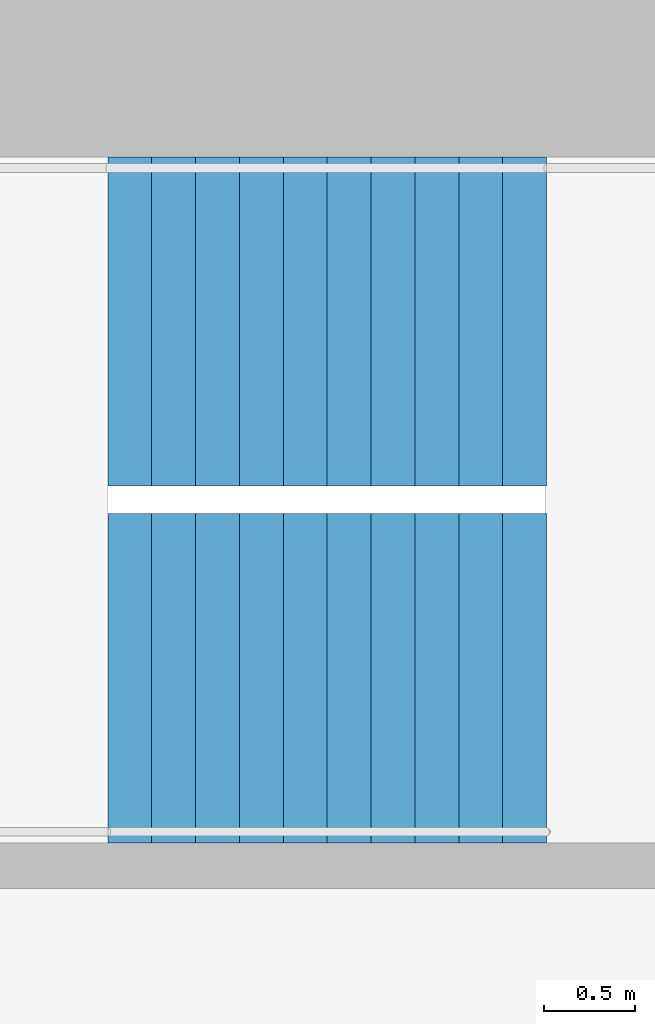
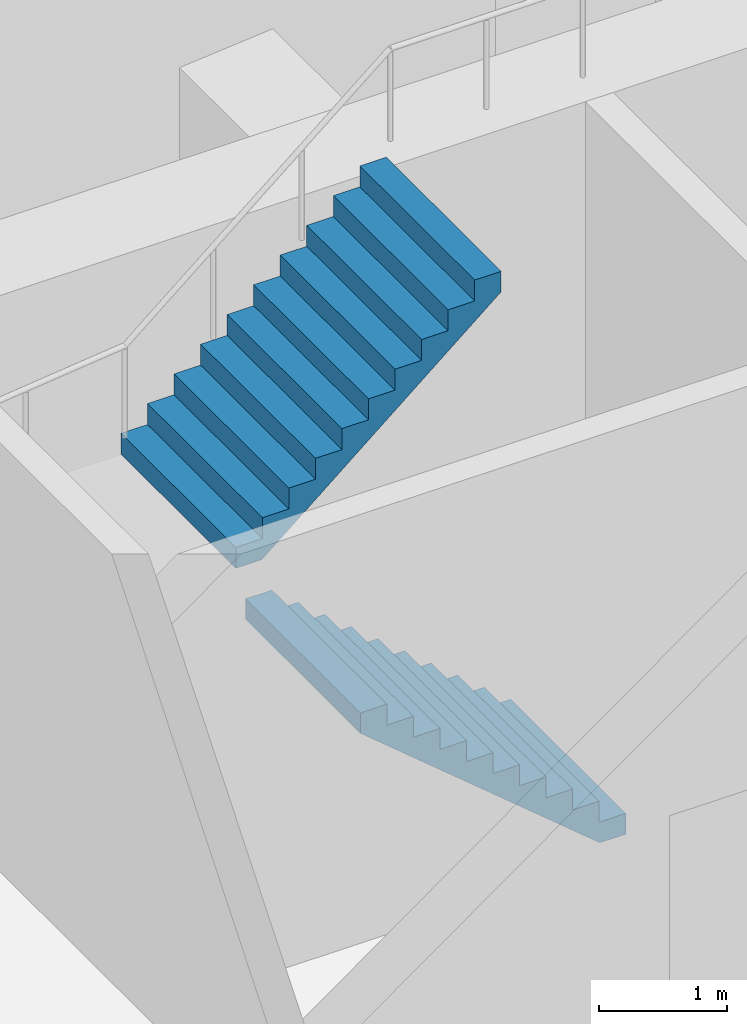
# One storey, part 31 of 33: 2 stair flights, 1 element without a shape of its own.
"""IFC4 building model written with IfcOpenShell, lengths in metres."""

from ifc_helpers import new_model, si_unit, direction, frame, origin, place, context, subcontext, project, spatial, triangles, material, type_object, element, aggregate, save


model = new_model("IFC4")

# Units and contexts
model_context = context("Model", 3, precision=1e-05, world=origin(), true_north=direction((0.0, 1.0)))
body_context = subcontext(model_context, "Body", "Model", "MODEL_VIEW")
ifc_project = project(units=[si_unit("LENGTHUNIT", "METRE"), si_unit("AREAUNIT", "SQUARE_METRE"), si_unit("VOLUMEUNIT", "CUBIC_METRE"), si_unit("PLANEANGLEUNIT", "RADIAN"), si_unit("MASSUNIT", "GRAM", prefix="KILO")], contexts=[model_context])

# Site, building, storey
site_placement = place(None, origin())
site = spatial("IfcSite", under=ifc_project, at=site_placement, CompositionType="ELEMENT")
building_placement = place(site_placement, origin())
building = spatial("IfcBuilding", under=site, at=building_placement, Name="Hakoniwa Tower and Hamabe Station Hall", CompositionType="ELEMENT")
storey_placement = place(building_placement, frame((0.0, 0.0, 228.199951171875)))
storey = spatial("IfcBuildingStorey", under=building, at=storey_placement, Name="L65", CompositionType="ELEMENT", Elevation=228.199951171875)

# Stair, stair flights
ifc_material_1 = material(Name="Concrete C40", Category="concrete")
stair_type = type_object("IfcStairType", Name="ESCAPE STAIR 1800", PredefinedType="HALF_TURN_STAIR", material=ifc_material_1)
stair_placement = place(storey_placement, origin())
stair = element("IfcStair", 1, at=stair_placement, inside=storey, type_object=stair_type, Name="Escape stair ST-3 L65", PredefinedType="HALF_TURN_STAIR")
ifc_material_2 = material(Name="Concrete C40", Category="concrete")
stair_flight_type = type_object("IfcStairFlightType", Name="STAIR FLIGHT 1800", PredefinedType="STRAIGHT", material=ifc_material_2)
stair_flight_1_placement = place(storey_placement, frame((24.39990234375, 4.64990234375, 0.0), z_axis=(0.0, 0.0, 1.0), x_axis=(-1.0, 0.0, 0.0)))
stair_flight_1 = element("IfcStairFlight", 2, at=stair_flight_1_placement, type_object=stair_flight_type, Name="ST-3 flight 1", NumberOfRisers=11, NumberOfTreads=10, PredefinedType="STRAIGHT", RiserHeight=0.2, TreadLength=0.24, context=body_context, shape_type="Tessellation", body=[
    triangles([(0.0, 0.89990234375, 0.0), (0.234130859375, 0.89990234375, 0.0), (0.239990234375, 0.89990234375, 0.0048828125), (0.47998046875, 0.89990234375, 0.204833984375), (0.719970703125, 0.89990234375, 0.40478515625), (0.9599609375, 0.89990234375, 0.60498046875), (1.199951171875, 0.89990234375, 0.804931640625), (1.43994140625, 0.89990234375, 1.0048828125), (1.679931640625, 0.89990234375, 1.204833984375), (1.919921875, 0.89990234375, 1.40478515625), (2.159912109375, 0.89990234375, 1.60498046875), (2.39990234375, 0.89990234375, 1.804931640625), (2.39990234375, 0.89990234375, 2.0), (2.159912109375, 0.89990234375, 2.0), (2.159912109375, 0.89990234375, 1.800048828125), (1.919921875, 0.89990234375, 1.800048828125), (1.919921875, 0.89990234375, 1.60009765625), (1.679931640625, 0.89990234375, 1.60009765625), (1.679931640625, 0.89990234375, 1.39990234375), (1.43994140625, 0.89990234375, 1.39990234375), (1.43994140625, 0.89990234375, 1.199951171875), (1.199951171875, 0.89990234375, 1.199951171875), (1.199951171875, 0.89990234375, 1.0), (0.9599609375, 0.89990234375, 1.0), (0.9599609375, 0.89990234375, 0.800048828125), (0.719970703125, 0.89990234375, 0.800048828125), (0.719970703125, 0.89990234375, 0.60009765625), (0.47998046875, 0.89990234375, 0.60009765625), (0.47998046875, 0.89990234375, 0.39990234375), (0.239990234375, 0.89990234375, 0.39990234375), (0.239990234375, 0.89990234375, 0.199951171875), (0.234130859375, 0.89990234375, 0.199951171875), (0.0, 0.89990234375, 0.199951171875), (0.0, 0.06005859375, 0.0), (0.234130859375, 0.06005859375, 0.0), (0.239990234375, 0.06005859375, 0.0048828125), (0.47998046875, 0.06005859375, 0.204833984375), (0.719970703125, 0.06005859375, 0.40478515625), (0.9599609375, 0.06005859375, 0.60498046875), (1.199951171875, 0.06005859375, 0.804931640625), (1.43994140625, 0.06005859375, 1.0048828125), (1.679931640625, 0.06005859375, 1.204833984375), (1.919921875, 0.06005859375, 1.40478515625), (2.159912109375, 0.06005859375, 1.60498046875), (2.39990234375, 0.06005859375, 1.804931640625), (2.39990234375, 0.06005859375, 2.0), (2.159912109375, 0.06005859375, 2.0), (2.159912109375, 0.06005859375, 1.800048828125), (1.919921875, 0.06005859375, 1.800048828125), (1.919921875, 0.06005859375, 1.60009765625), (1.679931640625, 0.06005859375, 1.60009765625), (1.679931640625, 0.06005859375, 1.39990234375), (1.43994140625, 0.06005859375, 1.39990234375), (1.43994140625, 0.06005859375, 1.199951171875), (1.199951171875, 0.06005859375, 1.199951171875), (1.199951171875, 0.06005859375, 1.0), (0.9599609375, 0.06005859375, 1.0), (0.9599609375, 0.06005859375, 0.800048828125), (0.719970703125, 0.06005859375, 0.800048828125), (0.719970703125, 0.06005859375, 0.60009765625), (0.47998046875, 0.06005859375, 0.60009765625), (0.47998046875, 0.06005859375, 0.39990234375), (0.239990234375, 0.06005859375, 0.39990234375), (0.239990234375, 0.06005859375, 0.199951171875), (0.234130859375, 0.06005859375, 0.199951171875), (0.0, 0.06005859375, 0.199951171875), (0.0, 0.02001953125, 0.0), (0.234130859375, 0.02001953125, 0.0), (0.239990234375, 0.02001953125, 0.0048828125), (0.47998046875, 0.02001953125, 0.204833984375), (0.719970703125, 0.02001953125, 0.40478515625), (0.9599609375, 0.02001953125, 0.60498046875), (1.199951171875, 0.02001953125, 0.804931640625), (1.43994140625, 0.02001953125, 1.0048828125), (1.679931640625, 0.02001953125, 1.204833984375), (1.919921875, 0.02001953125, 1.40478515625), (2.159912109375, 0.02001953125, 1.60498046875), (2.39990234375, 0.02001953125, 1.804931640625), (2.39990234375, 0.02001953125, 2.0), (2.159912109375, 0.02001953125, 2.0), (2.159912109375, 0.02001953125, 1.800048828125), (1.919921875, 0.02001953125, 1.800048828125), (1.919921875, 0.02001953125, 1.60009765625), (1.679931640625, 0.02001953125, 1.60009765625), (1.679931640625, 0.02001953125, 1.39990234375), (1.43994140625, 0.02001953125, 1.39990234375), (1.43994140625, 0.02001953125, 1.199951171875), (1.199951171875, 0.02001953125, 1.199951171875), (1.199951171875, 0.02001953125, 1.0), (0.9599609375, 0.02001953125, 1.0), (0.9599609375, 0.02001953125, 0.800048828125), (0.719970703125, 0.02001953125, 0.800048828125), (0.719970703125, 0.02001953125, 0.60009765625), (0.47998046875, 0.02001953125, 0.60009765625), (0.47998046875, 0.02001953125, 0.39990234375), (0.239990234375, 0.02001953125, 0.39990234375), (0.239990234375, 0.02001953125, 0.199951171875), (0.234130859375, 0.02001953125, 0.199951171875), (0.0, 0.02001953125, 0.199951171875), (0.0, -0.02001953125, 0.0), (0.234130859375, -0.02001953125, 0.0), (0.239990234375, -0.02001953125, 0.0048828125), (0.47998046875, -0.02001953125, 0.204833984375), (0.719970703125, -0.02001953125, 0.40478515625), (0.9599609375, -0.02001953125, 0.60498046875), (1.199951171875, -0.02001953125, 0.804931640625), (1.43994140625, -0.02001953125, 1.0048828125), (1.679931640625, -0.02001953125, 1.204833984375), (1.919921875, -0.02001953125, 1.40478515625), (2.159912109375, -0.02001953125, 1.60498046875), (2.39990234375, -0.02001953125, 1.804931640625), (2.39990234375, -0.02001953125, 2.0), (2.159912109375, -0.02001953125, 2.0), (2.159912109375, -0.02001953125, 1.800048828125), (1.919921875, -0.02001953125, 1.800048828125), (1.919921875, -0.02001953125, 1.60009765625), (1.679931640625, -0.02001953125, 1.60009765625), (1.679931640625, -0.02001953125, 1.39990234375), (1.43994140625, -0.02001953125, 1.39990234375), (1.43994140625, -0.02001953125, 1.199951171875), (1.199951171875, -0.02001953125, 1.199951171875), (1.199951171875, -0.02001953125, 1.0), (0.9599609375, -0.02001953125, 1.0), (0.9599609375, -0.02001953125, 0.800048828125), (0.719970703125, -0.02001953125, 0.800048828125), (0.719970703125, -0.02001953125, 0.60009765625), (0.47998046875, -0.02001953125, 0.60009765625), (0.47998046875, -0.02001953125, 0.39990234375), (0.239990234375, -0.02001953125, 0.39990234375), (0.239990234375, -0.02001953125, 0.199951171875), (0.234130859375, -0.02001953125, 0.199951171875), (0.0, -0.02001953125, 0.199951171875), (0.0, -0.06005859375, 0.0), (0.234130859375, -0.06005859375, 0.0), (0.239990234375, -0.06005859375, 0.0048828125), (0.47998046875, -0.06005859375, 0.204833984375), (0.719970703125, -0.06005859375, 0.40478515625), (0.9599609375, -0.06005859375, 0.60498046875), (1.199951171875, -0.06005859375, 0.804931640625), (1.43994140625, -0.06005859375, 1.0048828125), (1.679931640625, -0.06005859375, 1.204833984375), (1.919921875, -0.06005859375, 1.40478515625), (2.159912109375, -0.06005859375, 1.60498046875), (2.39990234375, -0.06005859375, 1.804931640625), (2.39990234375, -0.06005859375, 2.0), (2.159912109375, -0.06005859375, 2.0), (2.159912109375, -0.06005859375, 1.800048828125), (1.919921875, -0.06005859375, 1.800048828125), (1.919921875, -0.06005859375, 1.60009765625), (1.679931640625, -0.06005859375, 1.60009765625), (1.679931640625, -0.06005859375, 1.39990234375), (1.43994140625, -0.06005859375, 1.39990234375), (1.43994140625, -0.06005859375, 1.199951171875), (1.199951171875, -0.06005859375, 1.199951171875), (1.199951171875, -0.06005859375, 1.0), (0.9599609375, -0.06005859375, 1.0), (0.9599609375, -0.06005859375, 0.800048828125), (0.719970703125, -0.06005859375, 0.800048828125), (0.719970703125, -0.06005859375, 0.60009765625), (0.47998046875, -0.06005859375, 0.60009765625), (0.47998046875, -0.06005859375, 0.39990234375), (0.239990234375, -0.06005859375, 0.39990234375), (0.239990234375, -0.06005859375, 0.199951171875), (0.234130859375, -0.06005859375, 0.199951171875), (0.0, -0.06005859375, 0.199951171875), (0.0, -0.89990234375, 0.0), (0.234130859375, -0.89990234375, 0.0), (0.239990234375, -0.89990234375, 0.0048828125), (0.47998046875, -0.89990234375, 0.204833984375), (0.719970703125, -0.89990234375, 0.40478515625), (0.9599609375, -0.89990234375, 0.60498046875), (1.199951171875, -0.89990234375, 0.804931640625), (1.43994140625, -0.89990234375, 1.0048828125), (1.679931640625, -0.89990234375, 1.204833984375), (1.919921875, -0.89990234375, 1.40478515625), (2.159912109375, -0.89990234375, 1.60498046875), (2.39990234375, -0.89990234375, 1.804931640625), (2.39990234375, -0.89990234375, 2.0), (2.159912109375, -0.89990234375, 2.0), (2.159912109375, -0.89990234375, 1.800048828125), (1.919921875, -0.89990234375, 1.800048828125), (1.919921875, -0.89990234375, 1.60009765625), (1.679931640625, -0.89990234375, 1.60009765625), (1.679931640625, -0.89990234375, 1.39990234375), (1.43994140625, -0.89990234375, 1.39990234375), (1.43994140625, -0.89990234375, 1.199951171875), (1.199951171875, -0.89990234375, 1.199951171875), (1.199951171875, -0.89990234375, 1.0), (0.9599609375, -0.89990234375, 1.0), (0.9599609375, -0.89990234375, 0.800048828125), (0.719970703125, -0.89990234375, 0.800048828125), (0.719970703125, -0.89990234375, 0.60009765625), (0.47998046875, -0.89990234375, 0.60009765625), (0.47998046875, -0.89990234375, 0.39990234375), (0.239990234375, -0.89990234375, 0.39990234375), (0.239990234375, -0.89990234375, 0.199951171875), (0.234130859375, -0.89990234375, 0.199951171875), (0.0, -0.89990234375, 0.199951171875)], [[2, 33, 32], [167, 197, 198], [2, 1, 33], [167, 198, 166], [3, 32, 31], [168, 196, 197], [3, 2, 32], [168, 197, 167], [4, 30, 29], [169, 194, 195], [4, 31, 30], [169, 195, 196], [4, 3, 31], [169, 196, 168], [5, 28, 27], [170, 192, 193], [5, 29, 28], [170, 193, 194], [5, 4, 29], [170, 194, 169], [6, 26, 25], [171, 190, 191], [6, 27, 26], [171, 191, 192], [6, 5, 27], [171, 192, 170], [7, 24, 23], [172, 188, 189], [7, 25, 24], [172, 189, 190], [7, 6, 25], [172, 190, 171], [8, 22, 21], [173, 186, 187], [8, 23, 22], [173, 187, 188], [8, 7, 23], [173, 188, 172], [9, 20, 19], [174, 184, 185], [9, 21, 20], [174, 185, 186], [9, 8, 21], [174, 186, 173], [10, 18, 17], [175, 182, 183], [10, 19, 18], [175, 183, 184], [10, 9, 19], [175, 184, 174], [11, 16, 15], [176, 180, 181], [11, 17, 16], [176, 181, 182], [11, 10, 17], [176, 182, 175], [12, 14, 13], [177, 178, 179], [12, 15, 14], [177, 179, 180], [12, 11, 15], [177, 180, 176], [1, 2, 35], [1, 35, 34], [34, 35, 68], [34, 68, 67], [67, 68, 101], [67, 101, 100], [100, 101, 134], [100, 134, 133], [133, 134, 167], [133, 167, 166], [2, 3, 36], [2, 36, 35], [35, 36, 69], [35, 69, 68], [68, 69, 102], [68, 102, 101], [101, 102, 135], [101, 135, 134], [134, 135, 168], [134, 168, 167], [3, 4, 37], [3, 37, 36], [36, 37, 70], [36, 70, 69], [69, 70, 103], [69, 103, 102], [102, 103, 136], [102, 136, 135], [135, 136, 169], [135, 169, 168], [4, 5, 38], [4, 38, 37], [37, 38, 71], [37, 71, 70], [70, 71, 104], [70, 104, 103], [103, 104, 137], [103, 137, 136], [136, 137, 170], [136, 170, 169], [5, 6, 39], [5, 39, 38], [38, 39, 72], [38, 72, 71], [71, 72, 105], [71, 105, 104], [104, 105, 138], [104, 138, 137], [137, 138, 171], [137, 171, 170], [6, 7, 40], [6, 40, 39], [39, 40, 73], [39, 73, 72], [72, 73, 106], [72, 106, 105], [105, 106, 139], [105, 139, 138], [138, 139, 172], [138, 172, 171], [7, 8, 41], [7, 41, 40], [40, 41, 74], [40, 74, 73], [73, 74, 107], [73, 107, 106], [106, 107, 140], [106, 140, 139], [139, 140, 173], [139, 173, 172], [8, 9, 42], [8, 42, 41], [41, 42, 75], [41, 75, 74], [74, 75, 108], [74, 108, 107], [107, 108, 141], [107, 141, 140], [140, 141, 174], [140, 174, 173], [9, 10, 43], [9, 43, 42], [42, 43, 76], [42, 76, 75], [75, 76, 109], [75, 109, 108], [108, 109, 142], [108, 142, 141], [141, 142, 175], [141, 175, 174], [10, 11, 44], [10, 44, 43], [43, 44, 77], [43, 77, 76], [76, 77, 110], [76, 110, 109], [109, 110, 143], [109, 143, 142], [142, 143, 176], [142, 176, 175], [11, 12, 45], [11, 45, 44], [44, 45, 78], [44, 78, 77], [77, 78, 111], [77, 111, 110], [110, 111, 144], [110, 144, 143], [143, 144, 177], [143, 177, 176], [12, 13, 46], [12, 46, 45], [45, 46, 79], [45, 79, 78], [78, 79, 112], [78, 112, 111], [111, 112, 145], [111, 145, 144], [144, 145, 178], [144, 178, 177], [13, 14, 47], [13, 47, 46], [46, 47, 80], [46, 80, 79], [79, 80, 113], [79, 113, 112], [112, 113, 146], [112, 146, 145], [145, 146, 179], [145, 179, 178], [14, 15, 48], [14, 48, 47], [47, 48, 81], [47, 81, 80], [80, 81, 114], [80, 114, 113], [113, 114, 147], [113, 147, 146], [146, 147, 180], [146, 180, 179], [15, 16, 49], [15, 49, 48], [48, 49, 82], [48, 82, 81], [81, 82, 115], [81, 115, 114], [114, 115, 148], [114, 148, 147], [147, 148, 181], [147, 181, 180], [16, 17, 50], [16, 50, 49], [49, 50, 83], [49, 83, 82], [82, 83, 116], [82, 116, 115], [115, 116, 149], [115, 149, 148], [148, 149, 182], [148, 182, 181], [17, 18, 51], [17, 51, 50], [50, 51, 84], [50, 84, 83], [83, 84, 117], [83, 117, 116], [116, 117, 150], [116, 150, 149], [149, 150, 183], [149, 183, 182], [18, 19, 52], [18, 52, 51], [51, 52, 85], [51, 85, 84], [84, 85, 118], [84, 118, 117], [117, 118, 151], [117, 151, 150], [150, 151, 184], [150, 184, 183], [19, 20, 53], [19, 53, 52], [52, 53, 86], [52, 86, 85], [85, 86, 119], [85, 119, 118], [118, 119, 152], [118, 152, 151], [151, 152, 185], [151, 185, 184], [20, 21, 54], [20, 54, 53], [53, 54, 87], [53, 87, 86], [86, 87, 120], [86, 120, 119], [119, 120, 153], [119, 153, 152], [152, 153, 186], [152, 186, 185], [21, 22, 55], [21, 55, 54], [54, 55, 88], [54, 88, 87], [87, 88, 121], [87, 121, 120], [120, 121, 154], [120, 154, 153], [153, 154, 187], [153, 187, 186], [22, 23, 56], [22, 56, 55], [55, 56, 89], [55, 89, 88], [88, 89, 122], [88, 122, 121], [121, 122, 155], [121, 155, 154], [154, 155, 188], [154, 188, 187], [23, 24, 57], [23, 57, 56], [56, 57, 90], [56, 90, 89], [89, 90, 123], [89, 123, 122], [122, 123, 156], [122, 156, 155], [155, 156, 189], [155, 189, 188], [24, 25, 58], [24, 58, 57], [57, 58, 91], [57, 91, 90], [90, 91, 124], [90, 124, 123], [123, 124, 157], [123, 157, 156], [156, 157, 190], [156, 190, 189], [25, 26, 59], [25, 59, 58], [58, 59, 92], [58, 92, 91], [91, 92, 125], [91, 125, 124], [124, 125, 158], [124, 158, 157], [157, 158, 191], [157, 191, 190], [26, 27, 60], [26, 60, 59], [59, 60, 93], [59, 93, 92], [92, 93, 126], [92, 126, 125], [125, 126, 159], [125, 159, 158], [158, 159, 192], [158, 192, 191], [27, 28, 61], [27, 61, 60], [60, 61, 94], [60, 94, 93], [93, 94, 127], [93, 127, 126], [126, 127, 160], [126, 160, 159], [159, 160, 193], [159, 193, 192], [28, 29, 62], [28, 62, 61], [61, 62, 95], [61, 95, 94], [94, 95, 128], [94, 128, 127], [127, 128, 161], [127, 161, 160], [160, 161, 194], [160, 194, 193], [29, 30, 63], [29, 63, 62], [62, 63, 96], [62, 96, 95], [95, 96, 129], [95, 129, 128], [128, 129, 162], [128, 162, 161], [161, 162, 195], [161, 195, 194], [30, 31, 64], [30, 64, 63], [63, 64, 97], [63, 97, 96], [96, 97, 130], [96, 130, 129], [129, 130, 163], [129, 163, 162], [162, 163, 196], [162, 196, 195], [31, 32, 65], [31, 65, 64], [64, 65, 98], [64, 98, 97], [97, 98, 131], [97, 131, 130], [130, 131, 164], [130, 164, 163], [163, 164, 197], [163, 197, 196], [32, 33, 66], [32, 66, 65], [65, 66, 99], [65, 99, 98], [98, 99, 132], [98, 132, 131], [131, 132, 165], [131, 165, 164], [164, 165, 198], [164, 198, 197], [33, 1, 34], [33, 34, 66], [66, 34, 67], [66, 67, 99], [99, 67, 100], [99, 100, 132], [132, 100, 133], [132, 133, 165], [165, 133, 166], [165, 166, 198]], closed=True),
])
stair_flight_2_placement = place(storey_placement, frame((22.0, 6.60009765625, 2.199951171875), z_axis=(0.0, 0.0, 1.0), x_axis=(1.0, 0.0, 0.0)))
stair_flight_2 = element("IfcStairFlight", 3, at=stair_flight_2_placement, type_object=stair_flight_type, Name="ST-3 flight 2", NumberOfRisers=11, NumberOfTreads=10, PredefinedType="STRAIGHT", RiserHeight=0.2, TreadLength=0.24, context=body_context, shape_type="Tessellation", body=[
    triangles([(0.0, 0.89990234375, 0.0), (0.234130859375, 0.89990234375, 0.0), (0.239990234375, 0.89990234375, 0.0048828125), (0.47998046875, 0.89990234375, 0.204833984375), (0.719970703125, 0.89990234375, 0.40478515625), (0.9599609375, 0.89990234375, 0.60498046875), (1.199951171875, 0.89990234375, 0.804931640625), (1.43994140625, 0.89990234375, 1.0048828125), (1.679931640625, 0.89990234375, 1.204833984375), (1.919921875, 0.89990234375, 1.40478515625), (2.159912109375, 0.89990234375, 1.60498046875), (2.39990234375, 0.89990234375, 1.804931640625), (2.39990234375, 0.89990234375, 2.0), (2.159912109375, 0.89990234375, 2.0), (2.159912109375, 0.89990234375, 1.800048828125), (1.919921875, 0.89990234375, 1.800048828125), (1.919921875, 0.89990234375, 1.60009765625), (1.679931640625, 0.89990234375, 1.60009765625), (1.679931640625, 0.89990234375, 1.39990234375), (1.43994140625, 0.89990234375, 1.39990234375), (1.43994140625, 0.89990234375, 1.199951171875), (1.199951171875, 0.89990234375, 1.199951171875), (1.199951171875, 0.89990234375, 1.0), (0.9599609375, 0.89990234375, 1.0), (0.9599609375, 0.89990234375, 0.800048828125), (0.719970703125, 0.89990234375, 0.800048828125), (0.719970703125, 0.89990234375, 0.60009765625), (0.47998046875, 0.89990234375, 0.60009765625), (0.47998046875, 0.89990234375, 0.39990234375), (0.239990234375, 0.89990234375, 0.39990234375), (0.239990234375, 0.89990234375, 0.199951171875), (0.234130859375, 0.89990234375, 0.199951171875), (0.0, 0.89990234375, 0.199951171875), (0.0, 0.06005859375, 0.0), (0.234130859375, 0.06005859375, 0.0), (0.239990234375, 0.06005859375, 0.0048828125), (0.47998046875, 0.06005859375, 0.204833984375), (0.719970703125, 0.06005859375, 0.40478515625), (0.9599609375, 0.06005859375, 0.60498046875), (1.199951171875, 0.06005859375, 0.804931640625), (1.43994140625, 0.06005859375, 1.0048828125), (1.679931640625, 0.06005859375, 1.204833984375), (1.919921875, 0.06005859375, 1.40478515625), (2.159912109375, 0.06005859375, 1.60498046875), (2.39990234375, 0.06005859375, 1.804931640625), (2.39990234375, 0.06005859375, 2.0), (2.159912109375, 0.06005859375, 2.0), (2.159912109375, 0.06005859375, 1.800048828125), (1.919921875, 0.06005859375, 1.800048828125), (1.919921875, 0.06005859375, 1.60009765625), (1.679931640625, 0.06005859375, 1.60009765625), (1.679931640625, 0.06005859375, 1.39990234375), (1.43994140625, 0.06005859375, 1.39990234375), (1.43994140625, 0.06005859375, 1.199951171875), (1.199951171875, 0.06005859375, 1.199951171875), (1.199951171875, 0.06005859375, 1.0), (0.9599609375, 0.06005859375, 1.0), (0.9599609375, 0.06005859375, 0.800048828125), (0.719970703125, 0.06005859375, 0.800048828125), (0.719970703125, 0.06005859375, 0.60009765625), (0.47998046875, 0.06005859375, 0.60009765625), (0.47998046875, 0.06005859375, 0.39990234375), (0.239990234375, 0.06005859375, 0.39990234375), (0.239990234375, 0.06005859375, 0.199951171875), (0.234130859375, 0.06005859375, 0.199951171875), (0.0, 0.06005859375, 0.199951171875), (0.0, 0.02001953125, 0.0), (0.234130859375, 0.02001953125, 0.0), (0.239990234375, 0.02001953125, 0.0048828125), (0.47998046875, 0.02001953125, 0.204833984375), (0.719970703125, 0.02001953125, 0.40478515625), (0.9599609375, 0.02001953125, 0.60498046875), (1.199951171875, 0.02001953125, 0.804931640625), (1.43994140625, 0.02001953125, 1.0048828125), (1.679931640625, 0.02001953125, 1.204833984375), (1.919921875, 0.02001953125, 1.40478515625), (2.159912109375, 0.02001953125, 1.60498046875), (2.39990234375, 0.02001953125, 1.804931640625), (2.39990234375, 0.02001953125, 2.0), (2.159912109375, 0.02001953125, 2.0), (2.159912109375, 0.02001953125, 1.800048828125), (1.919921875, 0.02001953125, 1.800048828125), (1.919921875, 0.02001953125, 1.60009765625), (1.679931640625, 0.02001953125, 1.60009765625), (1.679931640625, 0.02001953125, 1.39990234375), (1.43994140625, 0.02001953125, 1.39990234375), (1.43994140625, 0.02001953125, 1.199951171875), (1.199951171875, 0.02001953125, 1.199951171875), (1.199951171875, 0.02001953125, 1.0), (0.9599609375, 0.02001953125, 1.0), (0.9599609375, 0.02001953125, 0.800048828125), (0.719970703125, 0.02001953125, 0.800048828125), (0.719970703125, 0.02001953125, 0.60009765625), (0.47998046875, 0.02001953125, 0.60009765625), (0.47998046875, 0.02001953125, 0.39990234375), (0.239990234375, 0.02001953125, 0.39990234375), (0.239990234375, 0.02001953125, 0.199951171875), (0.234130859375, 0.02001953125, 0.199951171875), (0.0, 0.02001953125, 0.199951171875), (0.0, -0.02001953125, 0.0), (0.234130859375, -0.02001953125, 0.0), (0.239990234375, -0.02001953125, 0.0048828125), (0.47998046875, -0.02001953125, 0.204833984375), (0.719970703125, -0.02001953125, 0.40478515625), (0.9599609375, -0.02001953125, 0.60498046875), (1.199951171875, -0.02001953125, 0.804931640625), (1.43994140625, -0.02001953125, 1.0048828125), (1.679931640625, -0.02001953125, 1.204833984375), (1.919921875, -0.02001953125, 1.40478515625), (2.159912109375, -0.02001953125, 1.60498046875), (2.39990234375, -0.02001953125, 1.804931640625), (2.39990234375, -0.02001953125, 2.0), (2.159912109375, -0.02001953125, 2.0), (2.159912109375, -0.02001953125, 1.800048828125), (1.919921875, -0.02001953125, 1.800048828125), (1.919921875, -0.02001953125, 1.60009765625), (1.679931640625, -0.02001953125, 1.60009765625), (1.679931640625, -0.02001953125, 1.39990234375), (1.43994140625, -0.02001953125, 1.39990234375), (1.43994140625, -0.02001953125, 1.199951171875), (1.199951171875, -0.02001953125, 1.199951171875), (1.199951171875, -0.02001953125, 1.0), (0.9599609375, -0.02001953125, 1.0), (0.9599609375, -0.02001953125, 0.800048828125), (0.719970703125, -0.02001953125, 0.800048828125), (0.719970703125, -0.02001953125, 0.60009765625), (0.47998046875, -0.02001953125, 0.60009765625), (0.47998046875, -0.02001953125, 0.39990234375), (0.239990234375, -0.02001953125, 0.39990234375), (0.239990234375, -0.02001953125, 0.199951171875), (0.234130859375, -0.02001953125, 0.199951171875), (0.0, -0.02001953125, 0.199951171875), (0.0, -0.06005859375, 0.0), (0.234130859375, -0.06005859375, 0.0), (0.239990234375, -0.06005859375, 0.0048828125), (0.47998046875, -0.06005859375, 0.204833984375), (0.719970703125, -0.06005859375, 0.40478515625), (0.9599609375, -0.06005859375, 0.60498046875), (1.199951171875, -0.06005859375, 0.804931640625), (1.43994140625, -0.06005859375, 1.0048828125), (1.679931640625, -0.06005859375, 1.204833984375), (1.919921875, -0.06005859375, 1.40478515625), (2.159912109375, -0.06005859375, 1.60498046875), (2.39990234375, -0.06005859375, 1.804931640625), (2.39990234375, -0.06005859375, 2.0), (2.159912109375, -0.06005859375, 2.0), (2.159912109375, -0.06005859375, 1.800048828125), (1.919921875, -0.06005859375, 1.800048828125), (1.919921875, -0.06005859375, 1.60009765625), (1.679931640625, -0.06005859375, 1.60009765625), (1.679931640625, -0.06005859375, 1.39990234375), (1.43994140625, -0.06005859375, 1.39990234375), (1.43994140625, -0.06005859375, 1.199951171875), (1.199951171875, -0.06005859375, 1.199951171875), (1.199951171875, -0.06005859375, 1.0), (0.9599609375, -0.06005859375, 1.0), (0.9599609375, -0.06005859375, 0.800048828125), (0.719970703125, -0.06005859375, 0.800048828125), (0.719970703125, -0.06005859375, 0.60009765625), (0.47998046875, -0.06005859375, 0.60009765625), (0.47998046875, -0.06005859375, 0.39990234375), (0.239990234375, -0.06005859375, 0.39990234375), (0.239990234375, -0.06005859375, 0.199951171875), (0.234130859375, -0.06005859375, 0.199951171875), (0.0, -0.06005859375, 0.199951171875), (0.0, -0.89990234375, 0.0), (0.234130859375, -0.89990234375, 0.0), (0.239990234375, -0.89990234375, 0.0048828125), (0.47998046875, -0.89990234375, 0.204833984375), (0.719970703125, -0.89990234375, 0.40478515625), (0.9599609375, -0.89990234375, 0.60498046875), (1.199951171875, -0.89990234375, 0.804931640625), (1.43994140625, -0.89990234375, 1.0048828125), (1.679931640625, -0.89990234375, 1.204833984375), (1.919921875, -0.89990234375, 1.40478515625), (2.159912109375, -0.89990234375, 1.60498046875), (2.39990234375, -0.89990234375, 1.804931640625), (2.39990234375, -0.89990234375, 2.0), (2.159912109375, -0.89990234375, 2.0), (2.159912109375, -0.89990234375, 1.800048828125), (1.919921875, -0.89990234375, 1.800048828125), (1.919921875, -0.89990234375, 1.60009765625), (1.679931640625, -0.89990234375, 1.60009765625), (1.679931640625, -0.89990234375, 1.39990234375), (1.43994140625, -0.89990234375, 1.39990234375), (1.43994140625, -0.89990234375, 1.199951171875), (1.199951171875, -0.89990234375, 1.199951171875), (1.199951171875, -0.89990234375, 1.0), (0.9599609375, -0.89990234375, 1.0), (0.9599609375, -0.89990234375, 0.800048828125), (0.719970703125, -0.89990234375, 0.800048828125), (0.719970703125, -0.89990234375, 0.60009765625), (0.47998046875, -0.89990234375, 0.60009765625), (0.47998046875, -0.89990234375, 0.39990234375), (0.239990234375, -0.89990234375, 0.39990234375), (0.239990234375, -0.89990234375, 0.199951171875), (0.234130859375, -0.89990234375, 0.199951171875), (0.0, -0.89990234375, 0.199951171875)], [[2, 33, 32], [167, 197, 198], [2, 1, 33], [167, 198, 166], [3, 32, 31], [168, 196, 197], [3, 2, 32], [168, 197, 167], [4, 30, 29], [169, 194, 195], [4, 31, 30], [169, 195, 196], [4, 3, 31], [169, 196, 168], [5, 28, 27], [170, 192, 193], [5, 29, 28], [170, 193, 194], [5, 4, 29], [170, 194, 169], [6, 26, 25], [171, 190, 191], [6, 27, 26], [171, 191, 192], [6, 5, 27], [171, 192, 170], [7, 24, 23], [172, 188, 189], [7, 25, 24], [172, 189, 190], [7, 6, 25], [172, 190, 171], [8, 22, 21], [173, 186, 187], [8, 23, 22], [173, 187, 188], [8, 7, 23], [173, 188, 172], [9, 20, 19], [174, 184, 185], [9, 21, 20], [174, 185, 186], [9, 8, 21], [174, 186, 173], [10, 18, 17], [175, 182, 183], [10, 19, 18], [175, 183, 184], [10, 9, 19], [175, 184, 174], [11, 16, 15], [176, 180, 181], [11, 17, 16], [176, 181, 182], [11, 10, 17], [176, 182, 175], [12, 14, 13], [177, 178, 179], [12, 15, 14], [177, 179, 180], [12, 11, 15], [177, 180, 176], [1, 2, 35], [1, 35, 34], [34, 35, 68], [34, 68, 67], [67, 68, 101], [67, 101, 100], [100, 101, 134], [100, 134, 133], [133, 134, 167], [133, 167, 166], [2, 3, 36], [2, 36, 35], [35, 36, 69], [35, 69, 68], [68, 69, 102], [68, 102, 101], [101, 102, 135], [101, 135, 134], [134, 135, 168], [134, 168, 167], [3, 4, 37], [3, 37, 36], [36, 37, 70], [36, 70, 69], [69, 70, 103], [69, 103, 102], [102, 103, 136], [102, 136, 135], [135, 136, 169], [135, 169, 168], [4, 5, 38], [4, 38, 37], [37, 38, 71], [37, 71, 70], [70, 71, 104], [70, 104, 103], [103, 104, 137], [103, 137, 136], [136, 137, 170], [136, 170, 169], [5, 6, 39], [5, 39, 38], [38, 39, 72], [38, 72, 71], [71, 72, 105], [71, 105, 104], [104, 105, 138], [104, 138, 137], [137, 138, 171], [137, 171, 170], [6, 7, 40], [6, 40, 39], [39, 40, 73], [39, 73, 72], [72, 73, 106], [72, 106, 105], [105, 106, 139], [105, 139, 138], [138, 139, 172], [138, 172, 171], [7, 8, 41], [7, 41, 40], [40, 41, 74], [40, 74, 73], [73, 74, 107], [73, 107, 106], [106, 107, 140], [106, 140, 139], [139, 140, 173], [139, 173, 172], [8, 9, 42], [8, 42, 41], [41, 42, 75], [41, 75, 74], [74, 75, 108], [74, 108, 107], [107, 108, 141], [107, 141, 140], [140, 141, 174], [140, 174, 173], [9, 10, 43], [9, 43, 42], [42, 43, 76], [42, 76, 75], [75, 76, 109], [75, 109, 108], [108, 109, 142], [108, 142, 141], [141, 142, 175], [141, 175, 174], [10, 11, 44], [10, 44, 43], [43, 44, 77], [43, 77, 76], [76, 77, 110], [76, 110, 109], [109, 110, 143], [109, 143, 142], [142, 143, 176], [142, 176, 175], [11, 12, 45], [11, 45, 44], [44, 45, 78], [44, 78, 77], [77, 78, 111], [77, 111, 110], [110, 111, 144], [110, 144, 143], [143, 144, 177], [143, 177, 176], [12, 13, 46], [12, 46, 45], [45, 46, 79], [45, 79, 78], [78, 79, 112], [78, 112, 111], [111, 112, 145], [111, 145, 144], [144, 145, 178], [144, 178, 177], [13, 14, 47], [13, 47, 46], [46, 47, 80], [46, 80, 79], [79, 80, 113], [79, 113, 112], [112, 113, 146], [112, 146, 145], [145, 146, 179], [145, 179, 178], [14, 15, 48], [14, 48, 47], [47, 48, 81], [47, 81, 80], [80, 81, 114], [80, 114, 113], [113, 114, 147], [113, 147, 146], [146, 147, 180], [146, 180, 179], [15, 16, 49], [15, 49, 48], [48, 49, 82], [48, 82, 81], [81, 82, 115], [81, 115, 114], [114, 115, 148], [114, 148, 147], [147, 148, 181], [147, 181, 180], [16, 17, 50], [16, 50, 49], [49, 50, 83], [49, 83, 82], [82, 83, 116], [82, 116, 115], [115, 116, 149], [115, 149, 148], [148, 149, 182], [148, 182, 181], [17, 18, 51], [17, 51, 50], [50, 51, 84], [50, 84, 83], [83, 84, 117], [83, 117, 116], [116, 117, 150], [116, 150, 149], [149, 150, 183], [149, 183, 182], [18, 19, 52], [18, 52, 51], [51, 52, 85], [51, 85, 84], [84, 85, 118], [84, 118, 117], [117, 118, 151], [117, 151, 150], [150, 151, 184], [150, 184, 183], [19, 20, 53], [19, 53, 52], [52, 53, 86], [52, 86, 85], [85, 86, 119], [85, 119, 118], [118, 119, 152], [118, 152, 151], [151, 152, 185], [151, 185, 184], [20, 21, 54], [20, 54, 53], [53, 54, 87], [53, 87, 86], [86, 87, 120], [86, 120, 119], [119, 120, 153], [119, 153, 152], [152, 153, 186], [152, 186, 185], [21, 22, 55], [21, 55, 54], [54, 55, 88], [54, 88, 87], [87, 88, 121], [87, 121, 120], [120, 121, 154], [120, 154, 153], [153, 154, 187], [153, 187, 186], [22, 23, 56], [22, 56, 55], [55, 56, 89], [55, 89, 88], [88, 89, 122], [88, 122, 121], [121, 122, 155], [121, 155, 154], [154, 155, 188], [154, 188, 187], [23, 24, 57], [23, 57, 56], [56, 57, 90], [56, 90, 89], [89, 90, 123], [89, 123, 122], [122, 123, 156], [122, 156, 155], [155, 156, 189], [155, 189, 188], [24, 25, 58], [24, 58, 57], [57, 58, 91], [57, 91, 90], [90, 91, 124], [90, 124, 123], [123, 124, 157], [123, 157, 156], [156, 157, 190], [156, 190, 189], [25, 26, 59], [25, 59, 58], [58, 59, 92], [58, 92, 91], [91, 92, 125], [91, 125, 124], [124, 125, 158], [124, 158, 157], [157, 158, 191], [157, 191, 190], [26, 27, 60], [26, 60, 59], [59, 60, 93], [59, 93, 92], [92, 93, 126], [92, 126, 125], [125, 126, 159], [125, 159, 158], [158, 159, 192], [158, 192, 191], [27, 28, 61], [27, 61, 60], [60, 61, 94], [60, 94, 93], [93, 94, 127], [93, 127, 126], [126, 127, 160], [126, 160, 159], [159, 160, 193], [159, 193, 192], [28, 29, 62], [28, 62, 61], [61, 62, 95], [61, 95, 94], [94, 95, 128], [94, 128, 127], [127, 128, 161], [127, 161, 160], [160, 161, 194], [160, 194, 193], [29, 30, 63], [29, 63, 62], [62, 63, 96], [62, 96, 95], [95, 96, 129], [95, 129, 128], [128, 129, 162], [128, 162, 161], [161, 162, 195], [161, 195, 194], [30, 31, 64], [30, 64, 63], [63, 64, 97], [63, 97, 96], [96, 97, 130], [96, 130, 129], [129, 130, 163], [129, 163, 162], [162, 163, 196], [162, 196, 195], [31, 32, 65], [31, 65, 64], [64, 65, 98], [64, 98, 97], [97, 98, 131], [97, 131, 130], [130, 131, 164], [130, 164, 163], [163, 164, 197], [163, 197, 196], [32, 33, 66], [32, 66, 65], [65, 66, 99], [65, 99, 98], [98, 99, 132], [98, 132, 131], [131, 132, 165], [131, 165, 164], [164, 165, 198], [164, 198, 197], [33, 1, 34], [33, 34, 66], [66, 34, 67], [66, 67, 99], [99, 67, 100], [99, 100, 132], [132, 100, 133], [132, 133, 165], [165, 133, 166], [165, 166, 198]], closed=True),
])
aggregate(stair, [stair_flight_1, stair_flight_2])

save(model, "model.ifc")
